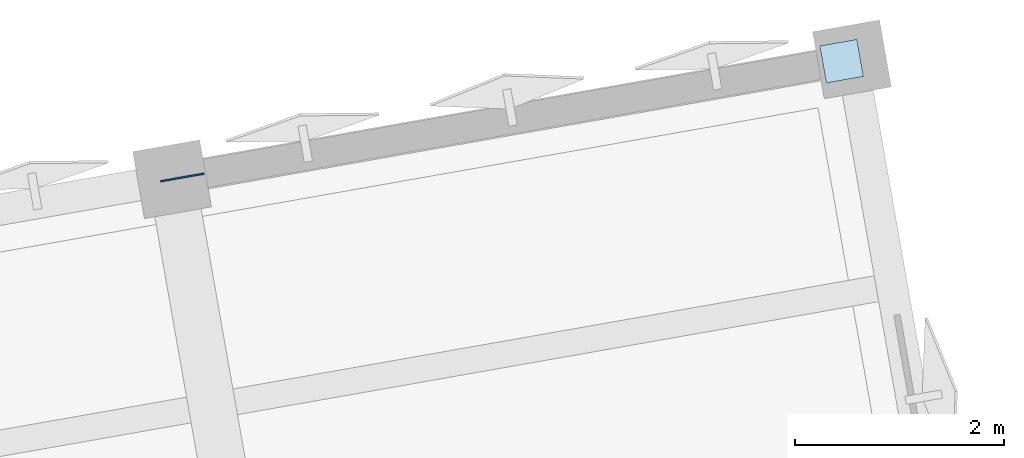
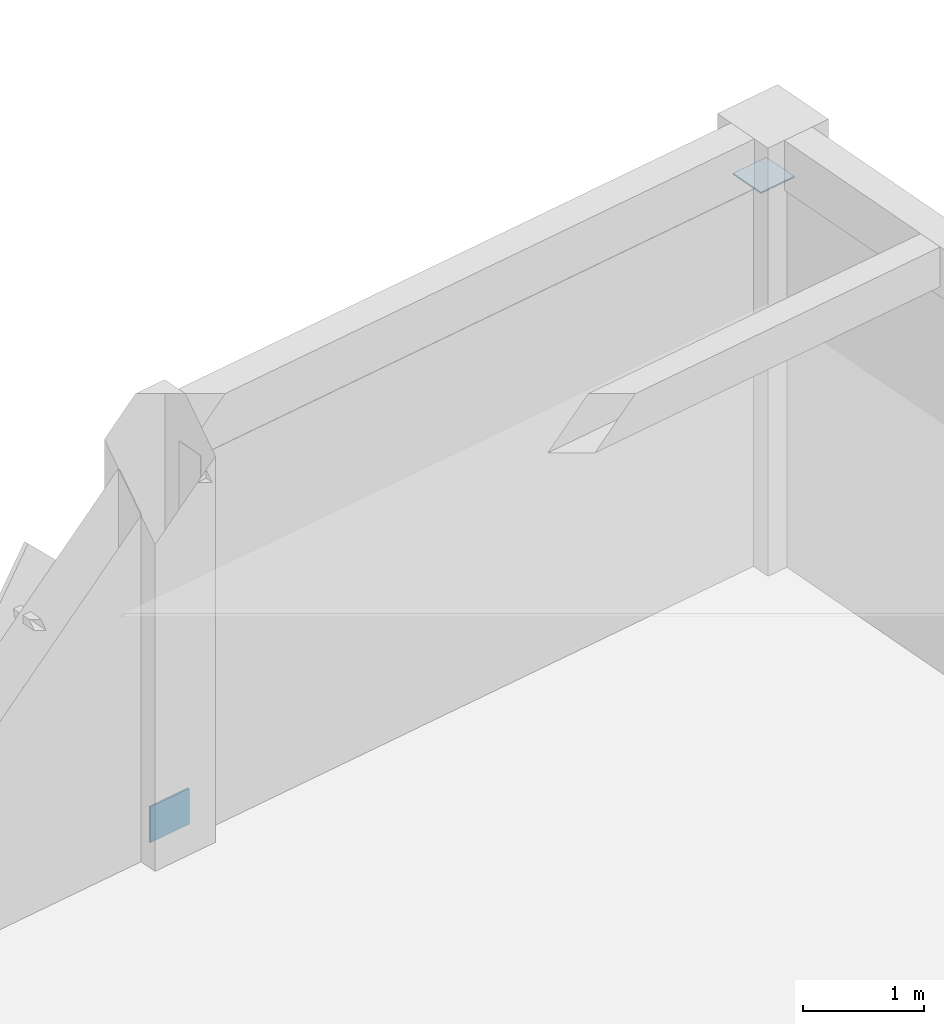
# One storey, part 33 of 48: 2 plates.
"""IFC4 building model written with IfcOpenShell, lengths in metres."""

from ifc_helpers import new_model, si_unit, direction, frame, origin, origin_2d, place, context, subcontext, project, spatial, rectangle, extrude, material, layer, layer_set, type_object, element, save


model = new_model("IFC4")

# Units and contexts
model_context = context("Model", 3, precision=1e-05, world=origin(), true_north=direction((0.0, 1.0)))
body_context = subcontext(model_context, "Body", "Model", "MODEL_VIEW")
ifc_project = project(units=[si_unit("LENGTHUNIT", "METRE"), si_unit("AREAUNIT", "SQUARE_METRE"), si_unit("VOLUMEUNIT", "CUBIC_METRE"), si_unit("PLANEANGLEUNIT", "RADIAN"), si_unit("MASSUNIT", "GRAM", prefix="KILO")], contexts=[model_context])

# Site, building, storey
site_placement = place(None, origin())
site = spatial("IfcSite", under=ifc_project, at=site_placement, CompositionType="ELEMENT")
building_placement = place(site_placement, origin())
building = spatial("IfcBuilding", under=site, at=building_placement, Name="Kharisveld Research Institute", CompositionType="ELEMENT")
storey_placement = place(building_placement, frame((0.0, 0.0, 14.10009765625)))
storey = spatial("IfcBuildingStorey", under=building, at=storey_placement, Name="L03", CompositionType="ELEMENT", Elevation=14.10009765625)

# Plates
ifc_material_1 = material(Name="Steel S355JR", Category="steel")
ifc_layer_1 = layer(ifc_material_1, 0.013916015625)
ifc_layer_set_1 = layer_set([ifc_layer_1], Name="PL_CAP_A")
plate_type_1 = type_object("IfcPlateType", Name="PL_CAP_A", PredefinedType="SHEET", material=ifc_layer_set_1)
plate_1_placement = place(storey_placement, frame((40.66162109375, 61.368408203125, 3.7529296875), z_axis=(0.0, 0.0, 1.0), x_axis=(0.984807753012, 0.173648177667, 0.0)))
element("IfcPlate", 1, at=plate_1_placement, inside=storey, type_object=plate_type_1, Name="PLT:V1:L03:CAP_5_3", PredefinedType="SHEET", context=body_context, shape_type="SweptSolid", body=[
    extrude(rectangle(XDim=0.360107421875, YDim=0.360107421875, at=origin_2d()), origin(), (0.0, 0.0, 1.0), 0.013916015625),
])
ifc_material_2 = material(Name="Steel S355JR", Category="steel")
ifc_layer_2 = layer(ifc_material_2, 0.01611328125)
ifc_layer_set_2 = layer_set([ifc_layer_2], Name="PL_GUS_A")
plate_type_2 = type_object("IfcPlateType", Name="PL_GUS_A", PredefinedType="USERDEFINED", material=ifc_layer_set_2)
plate_2_placement = place(storey_placement, frame((34.35888671875, 60.2568359375, 0.02001953125), z_axis=(0.0, 0.0, 1.0), x_axis=(0.984807753012, 0.173648177667, 0.0)))
element("IfcPlate", 2, at=plate_2_placement, inside=storey, type_object=plate_type_2, Name="PLT:V1:L03:GUS_5_3", ObjectType="GUSSET PLATE", PredefinedType="USERDEFINED", context=body_context, shape_type="SweptSolid", body=[
    extrude(rectangle(XDim=0.419921875, YDim=0.01611328125, at=origin_2d()), origin(), (0.0, 0.0, 1.0), 0.360107421875),
])

save(model, "model.ifc")
